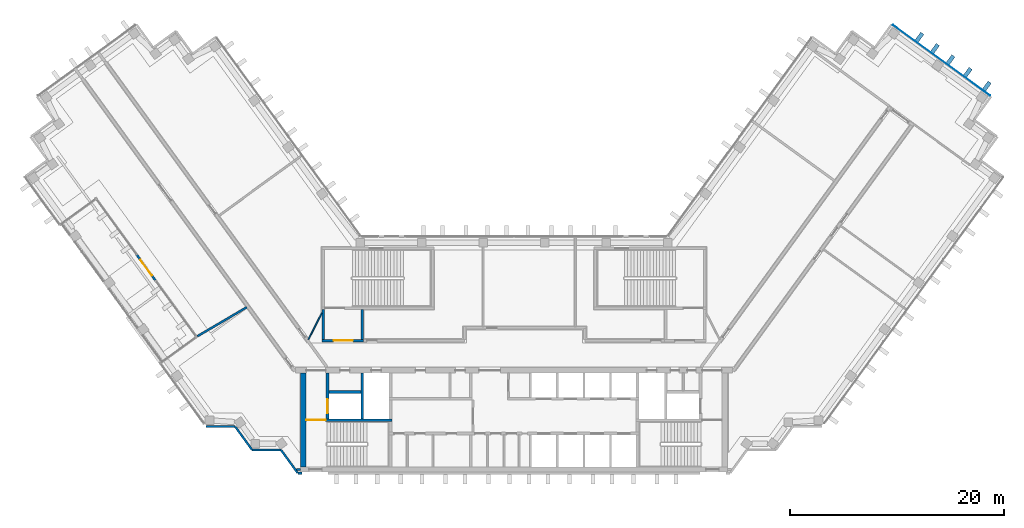
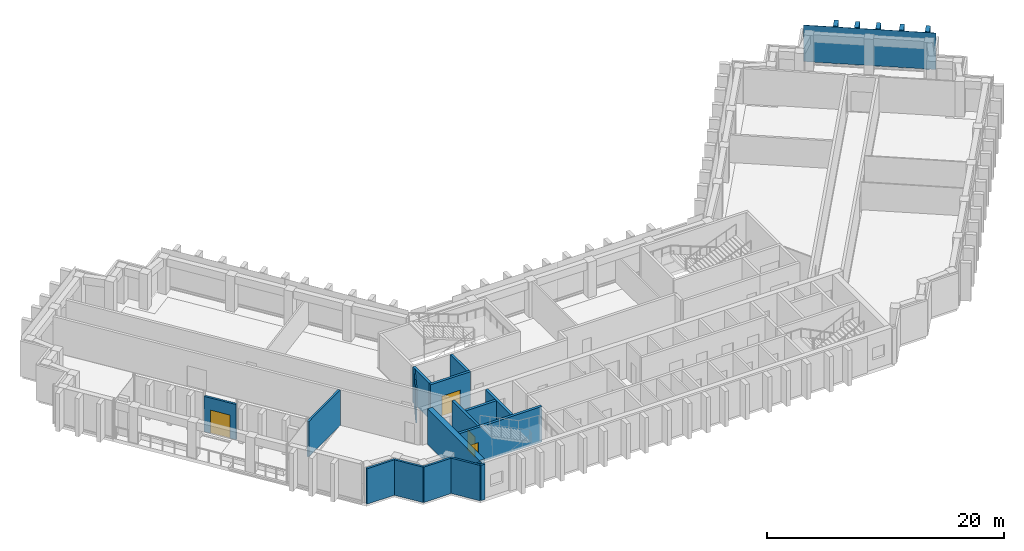
"""IFC4 building model written with IfcOpenShell, lengths in metres."""

from ifc_helpers import new_model, si_unit, direction, frame, frame_2d, origin, origin_2d, place, context, subcontext, project, spatial, rectangle, extrude, material, layer, layer_set, type_object, element, fill, aggregate, save


model = new_model("IFC4")

# Units and contexts
model_context = context("Model", 3, precision=1e-05, world=origin(), true_north=direction((0.0, 1.0)))
body_context = subcontext(model_context, "Body", "Model", "MODEL_VIEW")
ifc_project = project(units=[si_unit("LENGTHUNIT", "METRE"), si_unit("AREAUNIT", "SQUARE_METRE"), si_unit("VOLUMEUNIT", "CUBIC_METRE"), si_unit("PLANEANGLEUNIT", "RADIAN"), si_unit("MASSUNIT", "GRAM", prefix="KILO")], contexts=[model_context])

# Site, building, storey
site_placement = place(None, origin())
site = spatial("IfcSite", under=ifc_project, at=site_placement, CompositionType="ELEMENT")
building_placement = place(site_placement, origin())
building = spatial("IfcBuilding", under=site, at=building_placement, Name="Quipu Civic Tower", CompositionType="ELEMENT")
storey_1_placement = place(building_placement, frame((0.0, 0.0, 160.0)))
storey_1 = spatial("IfcBuildingStorey", under=building, at=storey_1_placement, Name="L37", CompositionType="ELEMENT", Elevation=160.0)

# Curtain wall
ifc_material_1 = material(Name="Insulated glass unit", Category="glass")
curtain_wall_type = type_object("IfcCurtainWallType", Name="Office curtain wall CW1", PredefinedType="NOTDEFINED", material=ifc_material_1)
curtain_wall_placement = place(storey_1_placement, origin())
curtain_wall = element("IfcCurtainWall", 1, at=curtain_wall_placement, inside=storey_1, type_object=curtain_wall_type, Name="Office curtain wall CW1 L36 run 31", PredefinedType="NOTDEFINED")

# Storey
storey_2_placement = place(building_placement, frame((0.0, 0.0, 156.0)))
storey_2 = spatial("IfcBuildingStorey", under=building, at=storey_2_placement, Name="L36", CompositionType="ELEMENT", Elevation=156.0)

# Plate
ifc_material_2 = material(Name="Insulated glass unit", Category="glass")
ifc_layer_1 = layer(ifc_material_2, 0.028076171875)
ifc_layer_set_1 = layer_set([ifc_layer_1], Name="Insulated glass unit")
plate_type_1 = type_object("IfcPlateType", Name="Glass panel CW1", PredefinedType="CURTAIN_PANEL", material=ifc_layer_set_1)
plate_placement = place(storey_2_placement, frame((40.04345703125, 27.58740234375, 0.240234375), z_axis=(0.0, 0.0, 1.0), x_axis=(-0.809015176832, 0.587787753918, 0.0)))
plate = element("IfcPlate", 2, at=plate_placement, inside=storey_2, type_object=plate_type_1, Name="CW1 panel 1.1", PredefinedType="CURTAIN_PANEL", context=body_context, shape_type="SweptSolid", body=[
    extrude(rectangle(XDim=11.239990234375, YDim=0.028076171875, at=origin_2d()), origin(), (0.0, 0.0, 1.0), 3.760009765625),
])

aggregate(curtain_wall, [plate])

# Plates
ifc_material_3 = material(Name="Precast concrete C40/50", Category="concrete")
plate_type_2 = type_object("IfcPlateType", Name="Precast fin F2", PredefinedType="SHEET", material=ifc_material_3)
for number, where, z_axis, x_axis, name in (
    (3, (44.298583984375, 25.17578125, 0.080078125), (0.0, 0.0, 1.0), (-0.809017072762, 0.587785144401, 0.0), "Precast fin F2 L36.31.1"),
    (4, (42.518798828125, 26.468994140625, 0.080078125), (0.0, 0.0, 1.0), (-0.809017072762, 0.587785144401, 0.0), "Precast fin F2 L36.31.2"),
    (5, (40.900634765625, 27.64453125, 0.080078125), (0.0, 0.0, 1.0), (-0.809017072762, 0.587785144401, 0.0), "Precast fin F2 L36.31.3"),
    (6, (39.444580078125, 28.70263671875, 0.080078125), (0.0, 0.0, 1.0), (-0.809017072762, 0.587785144401, 0.0), "Precast fin F2 L36.31.4"),
    (7, (37.98828125, 29.760498046875, 0.080078125), (0.0, 0.0, 1.0), (-0.809017072762, 0.587785144401, 0.0), "Precast fin F2 L36.31.5"),
):
    element("IfcPlate", number, at=place(storey_2_placement, frame(where, z_axis=z_axis, x_axis=x_axis)), inside=storey_2, type_object=plate_type_2, Name=name, PredefinedType="SHEET", context=body_context, shape_type="SweptSolid", body=[
        extrude(rectangle(XDim=0.3798828125, YDim=0.89990234375, at=origin_2d()), origin(), (0.0, 0.0, 1.0), 3.919921875),
    ])

# Wall
ifc_material_4 = material(Name="Fired clay blockwork", Category="masonry")
ifc_layer_2 = layer(ifc_material_4, 0.199951171875)
ifc_layer_set_2 = layer_set([ifc_layer_2], Name="Fired clay blockwork")
wall_type_1 = type_object("IfcWallType", Name="Blockwork wall 200", PredefinedType="SOLIDWALL", material=ifc_layer_set_2)
wall_1_placement = place(storey_2_placement, frame((-29.667724609375, 1.735107421875, 0.0), z_axis=(0.0, 0.0, 1.0), x_axis=(0.862172227296, 0.506615288439, 0.0)))
element("IfcWall", 8, at=wall_1_placement, inside=storey_2, type_object=wall_type_1, Name="Partition P09", PredefinedType="SOLIDWALL", context=body_context, shape_type="SweptSolid", body=[
    extrude(rectangle(XDim=5.377197265625, YDim=0.199951171875, at=frame_2d((2.6884765625, 0.0))), origin(), (0.0, 0.0, 1.0), 3.64990234375),
])

# Wall, opening, door
ifc_material_5 = material(Name="Concrete C70/85", Category="concrete")
ifc_layer_3 = layer(ifc_material_5, 0.25)
ifc_layer_set_3 = layer_set([ifc_layer_3], Name="Concrete C70/85")
wall_type_2 = type_object("IfcWallType", Name="Core wall 250", PredefinedType="SHEAR", material=ifc_layer_set_3)
wall_2_placement = place(storey_2_placement, frame((-11.449951171875, -6.125, 0.0), z_axis=(0.0, 0.0, 1.0), x_axis=(-1.0, 0.0, 0.0)))
wall_2 = element("IfcWall", 9, at=wall_2_placement, inside=storey_2, type_object=wall_type_2, Name="Core wall", PredefinedType="SHEAR", context=body_context, shape_type="SweptSolid", body=[
    extrude(rectangle(XDim=8.050048828125, YDim=0.25, at=frame_2d((4.02490234375, 0.0))), origin(), (0.0, 0.0, 1.0), 3.64990234375),
])
opening_1_placement = place(wall_2_placement, frame((6.199951171875, 0.0, 0.0)))
opening_1 = element("IfcOpeningElement", 10, at=opening_1_placement, cuts=wall_2, Name="Opening CD-08", PredefinedType="OPENING", context=body_context, shape_type="SweptSolid", body=[
    extrude(rectangle(XDim=1.800048828125, YDim=2.10009765625, at=frame_2d((0.89990234375, 1.050048828125))), frame((0.0, 0.135009765625, 0.0), z_axis=(0.0, -1.0, 0.0), x_axis=(1.0, 0.0, 0.0)), (0.0, 0.0, 1.0), 0.27001953125),
])
ifc_material_6 = material(Name="Fire rated steel door", Category="steel")
door_type_1 = type_object("IfcDoorType", Name="Fire door FD90 double 1800 x 2100", OperationType="NOTDEFINED", PredefinedType="DOOR", material=ifc_material_6)
door_1_placement = place(opening_1_placement, origin())
door_1 = element("IfcDoor", 11, at=door_1_placement, inside=storey_2, type_object=door_type_1, Name="Door", OperationType="DOUBLE_DOOR_SINGLE_SWING", OverallHeight=2.10009765625, OverallWidth=1.800048828125, PredefinedType="DOOR", context=body_context, shape_type="SweptSolid", body=[
    extrude(rectangle(XDim=1.800048828125, YDim=2.10009765625, at=frame_2d((0.89990234375, 1.050048828125))), frame((0.0, 0.02490234375, 0.0), z_axis=(0.0, -1.0, 0.0), x_axis=(1.0, 0.0, 0.0)), (0.0, 0.0, 1.0), 0.050048828125),
])
fill(opening_1, door_1)

wall_3_placement = place(storey_2_placement, frame((-17.47509765625, -6.0, 0.0), z_axis=(0.0, 0.0, 1.0), x_axis=(0.0, 1.0, 0.0)))
wall_3 = element("IfcWall", 12, at=wall_3_placement, inside=storey_2, type_object=wall_type_2, Name="Core wall", PredefinedType="SHEAR", context=body_context, shape_type="SweptSolid", body=[
    extrude(rectangle(XDim=4.300048828125, YDim=0.25, at=frame_2d((2.14990234375, 0.0))), origin(), (0.0, 0.0, 1.0), 3.64990234375),
])
opening_2_placement = place(wall_3_placement, frame((0.550048828125, 0.0, 0.0)))
opening_2 = element("IfcOpeningElement", 13, at=opening_2_placement, cuts=wall_3, Name="Opening LD-FF1", PredefinedType="OPENING", context=body_context, shape_type="SweptSolid", body=[
    extrude(rectangle(XDim=1.300048828125, YDim=2.10009765625, at=frame_2d((0.64990234375, 1.050048828125))), frame((0.0, 0.135009765625, 0.0), z_axis=(0.0, -1.0, 0.0), x_axis=(1.0, 0.0, 0.0)), (0.0, 0.0, 1.0), 0.27001953125),
])
ifc_material_7 = material(Name="Stainless steel", Category="steel")
door_type_2 = type_object("IfcDoorType", Name="Lift landing door 1300 x 2100", OperationType="DOUBLE_DOOR_SLIDING", PredefinedType="DOOR", material=ifc_material_7)
door_2_placement = place(opening_2_placement, origin())
door_2 = element("IfcDoor", 14, at=door_2_placement, inside=storey_2, type_object=door_type_2, Name="Landing door FF1", OperationType="DOUBLE_DOOR_SLIDING", OverallHeight=2.10009765625, OverallWidth=1.300048828125, PredefinedType="DOOR", context=body_context, shape_type="SweptSolid", body=[
    extrude(rectangle(XDim=1.300048828125, YDim=2.10009765625, at=frame_2d((0.64990234375, 1.050048828125))), frame((0.0, 0.02490234375, 0.0), z_axis=(0.0, -1.0, 0.0), x_axis=(1.0, 0.0, 0.0)), (0.0, 0.0, 1.0), 0.050048828125),
])
fill(opening_2, door_2)

# Walls
wall_4_placement = place(storey_2_placement, frame((-14.22509765625, -6.0, 0.0), z_axis=(0.0, 0.0, 1.0), x_axis=(0.0, 1.0, 0.0)))
element("IfcWall", 15, at=wall_4_placement, inside=storey_2, type_object=wall_type_2, Name="Core wall", PredefinedType="SHEAR", context=body_context, shape_type="SweptSolid", body=[
    extrude(rectangle(XDim=4.300048828125, YDim=0.25, at=frame_2d((2.14990234375, 0.0))), origin(), (0.0, 0.0, 1.0), 3.64990234375),
])
wall_5_placement = place(storey_2_placement, frame((-17.35009765625, -3.47509765625, 0.0), z_axis=(0.0, 0.0, 1.0), x_axis=(1.0, 0.0, 0.0)))
element("IfcWall", 16, at=wall_5_placement, inside=storey_2, type_object=wall_type_2, Name="Core wall", PredefinedType="SHEAR", context=body_context, shape_type="SweptSolid", body=[
    extrude(rectangle(XDim=3.0, YDim=0.25, at=frame_2d((1.5, 0.0))), origin(), (0.0, 0.0, 1.0), 3.64990234375),
])

# Wall, opening, door
wall_6_placement = place(storey_2_placement, frame((-18.0, 1.324951171875, 0.0), z_axis=(0.0, 0.0, 1.0), x_axis=(1.0, 0.0, 0.0)))
wall_6 = element("IfcWall", 17, at=wall_6_placement, inside=storey_2, type_object=wall_type_2, Name="Core wall", PredefinedType="SHEAR", context=body_context, shape_type="SweptSolid", body=[
    extrude(rectangle(XDim=3.89990234375, YDim=0.25, at=frame_2d((1.949951171875, 0.0))), origin(), (0.0, 0.0, 1.0), 3.64990234375),
])
opening_3_placement = place(wall_6_placement, frame((1.10009765625, 0.0, 0.0)))
opening_3 = element("IfcOpeningElement", 18, at=opening_3_placement, cuts=wall_6, Name="Opening CD-22", PredefinedType="OPENING", context=body_context, shape_type="SweptSolid", body=[
    extrude(rectangle(XDim=1.800048828125, YDim=2.10009765625, at=frame_2d((0.89990234375, 1.050048828125))), frame((0.0, 0.135009765625, 0.0), z_axis=(0.0, -1.0, 0.0), x_axis=(1.0, 0.0, 0.0)), (0.0, 0.0, 1.0), 0.27001953125),
])
door_3_placement = place(opening_3_placement, origin())
door_3 = element("IfcDoor", 19, at=door_3_placement, inside=storey_2, type_object=door_type_1, Name="Lobby door", OperationType="DOUBLE_DOOR_SINGLE_SWING", OverallHeight=2.10009765625, OverallWidth=1.800048828125, PredefinedType="DOOR", context=body_context, shape_type="SweptSolid", body=[
    extrude(rectangle(XDim=1.800048828125, YDim=2.10009765625, at=frame_2d((0.89990234375, 1.050048828125))), frame((0.0, 0.02490234375, 0.0), z_axis=(0.0, -1.0, 0.0), x_axis=(1.0, 0.0, 0.0)), (0.0, 0.0, 1.0), 0.050048828125),
])
fill(opening_3, door_3)

# Walls
for number, where, z_axis, x_axis, name in (
    (20, (-17.875, 1.449951171875, 0.0), (0.0, 0.0, 1.0), (0.0, 1.0, 0.0), "Core wall"),
    (21, (-14.22509765625, 1.449951171875, 0.0), (0.0, 0.0, 1.0), (0.0, 1.0, 0.0), "Core wall"),
):
    element("IfcWall", number, at=place(storey_2_placement, frame(where, z_axis=z_axis, x_axis=x_axis)), inside=storey_2, type_object=wall_type_2, Name=name, PredefinedType="SHEAR", context=body_context, shape_type="SweptSolid", body=[
        extrude(rectangle(XDim=2.800048828125, YDim=0.25, at=frame_2d((1.39990234375, 0.0))), origin(), (0.0, 0.0, 1.0), 3.64990234375),
    ])
ifc_material_8 = material(Name="Concrete C70/85", Category="concrete")
ifc_layer_4 = layer(ifc_material_8, 0.5)
ifc_layer_set_4 = layer_set([ifc_layer_4], Name="Concrete C70/85")
wall_type_3 = type_object("IfcWallType", Name="Core wall 500", PredefinedType="SHEAR", material=ifc_layer_set_4)
wall_7_placement = place(storey_2_placement, frame((-19.75, -10.5, 0.0), z_axis=(0.0, 0.0, 1.0), x_axis=(0.0, 1.0, 0.0)))
element("IfcWall", 22, at=wall_7_placement, inside=storey_2, type_object=wall_type_3, Name="Core wall", PredefinedType="SHEAR", context=body_context, shape_type="SweptSolid", body=[
    extrude(rectangle(XDim=8.800048828125, YDim=0.5, at=frame_2d((4.39990234375, 0.0))), origin(), (0.0, 0.0, 1.0), 3.64990234375),
])
ifc_material_9 = material(Name="Gypsum plasterboard on light gauge framing")
ifc_layer_5 = layer(ifc_material_9, 0.1201171875)
ifc_layer_set_5 = layer_set([ifc_layer_5], Name="Gypsum plasterboard on light gauge framing")
wall_type_4 = type_object("IfcWallType", Name="Partition 120 plasterboard", PredefinedType="PARTITIONING", material=ifc_layer_set_5)
wall_8_placement = place(storey_2_placement, frame((-19.260986328125, 1.449951171875, 0.0), z_axis=(0.0, 0.0, 1.0), x_axis=(0.453950796792, 0.891026752736, 0.0)))
element("IfcWall", 23, at=wall_8_placement, inside=storey_2, type_object=wall_type_4, Name="Partition P11", PredefinedType="PARTITIONING", context=body_context, shape_type="SweptSolid", body=[
    extrude(rectangle(XDim=2.77783203125, YDim=0.1201171875, at=frame_2d((1.388916015625, 0.0))), origin(), (0.0, 0.0, 1.0), 3.64990234375),
])
ifc_material_10 = material(Name="Precast concrete C40/50", Category="concrete")
wall_type_5 = type_object("IfcWallType", Name="Precast cladding wall", PredefinedType="SOLIDWALL", material=ifc_material_10)
wall_9_placement = place(storey_2_placement, frame((-28.829833984375, -6.71923828125, 0.0), z_axis=(0.0, 0.0, 1.0), x_axis=(1.0, 0.0, 0.0)))
element("IfcWall", 24, at=wall_9_placement, inside=storey_2, type_object=wall_type_5, Name="Precast cladding wall L36 8", PredefinedType="SOLIDWALL", context=body_context, shape_type="SweptSolid", body=[
    extrude(rectangle(XDim=2.699951171875, YDim=0.199951171875, at=frame_2d((1.35009765625, 0.0))), origin(), (0.0, 0.0, 1.0), 3.64990234375),
])
wall_10_placement = place(storey_2_placement, frame((-26.1201171875, -6.72412109375, 0.0), z_axis=(0.0, 0.0, 1.0), x_axis=(0.587720002413, -0.809064397168, 0.0)))
element("IfcWall", 25, at=wall_10_placement, inside=storey_2, type_object=wall_type_5, Name="Precast cladding wall L36 9", PredefinedType="SOLIDWALL", context=body_context, shape_type="SweptSolid", body=[
    extrude(rectangle(XDim=2.7001953125, YDim=0.199951171875, at=frame_2d((1.35009765625, 0.0))), origin(), (0.0, 0.0, 1.0), 3.64990234375),
])
wall_11_placement = place(storey_2_placement, frame((-24.542724609375, -8.90380859375, 0.0), z_axis=(0.0, 0.0, 1.0), x_axis=(1.0, 0.0, 0.0)))
element("IfcWall", 26, at=wall_11_placement, inside=storey_2, type_object=wall_type_5, Name="Precast cladding wall L36 17", PredefinedType="SOLIDWALL", context=body_context, shape_type="SweptSolid", body=[
    extrude(rectangle(XDim=2.699951171875, YDim=0.199951171875, at=frame_2d((1.35009765625, 0.0))), origin(), (0.0, 0.0, 1.0), 3.64990234375),
])
wall_12_placement = place(storey_2_placement, frame((-21.8330078125, -8.90869140625, 0.0), z_axis=(0.0, 0.0, 1.0), x_axis=(0.587766567315, -0.809030569476, 0.0)))
element("IfcWall", 27, at=wall_12_placement, inside=storey_2, type_object=wall_type_5, Name="Precast cladding wall L36 18", PredefinedType="SOLIDWALL", context=body_context, shape_type="SweptSolid", body=[
    extrude(rectangle(XDim=2.687744140625, YDim=0.199951171875, at=frame_2d((1.34375, 0.0))), origin(), (0.0, 0.0, 1.0), 3.64990234375),
])
wall_13_placement = place(storey_2_placement, frame((-20.255859375, -11.087890625, 0.0), z_axis=(0.0, 0.0, 1.0), x_axis=(1.0, 0.0, 0.0)))
element("IfcWall", 28, at=wall_13_placement, inside=storey_2, type_object=wall_type_5, Name="Precast cladding wall L36 19", PredefinedType="SOLIDWALL", context=body_context, shape_type="SweptSolid", body=[
    extrude(rectangle(XDim=0.40576171875, YDim=0.199951171875, at=frame_2d((0.202880859375, 0.0))), origin(), (0.0, 0.0, 1.0), 3.64990234375),
])
wall_14_placement = place(storey_2_placement, frame((-19.97998046875, -10.75, 0.0), z_axis=(0.0, 0.0, 1.0), x_axis=(-1.0, 0.0, 0.0)))
element("IfcWall", 29, at=wall_14_placement, inside=storey_2, type_object=wall_type_5, Name="Precast cladding return L36 W", PredefinedType="SOLIDWALL", context=body_context, shape_type="SweptSolid", body=[
    extrude(rectangle(XDim=0.41650390625, YDim=0.199951171875, at=frame_2d((0.208251953125, 0.0))), origin(), (0.0, 0.0, 1.0), 3.64990234375),
])

# Wall, opening, door
ifc_material_11 = material(Name="Precast concrete C40/50", Category="concrete")
wall_type_6 = type_object("IfcWallType", Name="Precast door surround", PredefinedType="SOLIDWALL", material=ifc_material_11)
wall_15_placement = place(storey_2_placement, frame((-33.5869140625, 6.9619140625, 0.0), z_axis=(0.0, 0.0, 1.0), x_axis=(-0.587774760134, 0.809024617271, 0.0)))
wall_15 = element("IfcWall", 30, at=wall_15_placement, inside=storey_2, type_object=wall_type_6, Name="Door surround ED-L36-1", PredefinedType="SOLIDWALL", context=body_context, shape_type="SweptSolid", body=[
    extrude(rectangle(XDim=2.962890625, YDim=0.199951171875, at=frame_2d((1.4814453125, 0.0))), origin(), (0.0, 0.0, 1.0), 3.64990234375),
])
opening_4_placement = place(wall_15_placement, frame((0.58154296875, 0.0, 0.0)))
opening_4 = element("IfcOpeningElement", 31, at=opening_4_placement, cuts=wall_15, Name="Opening ED-L36-1", PredefinedType="OPENING", context=body_context, shape_type="SweptSolid", body=[
    extrude(rectangle(XDim=1.800048828125, YDim=2.39990234375, at=frame_2d((0.89990234375, 1.199951171875))), frame((0.0, 0.10986328125, 0.0), z_axis=(0.0, -1.0, 0.0), x_axis=(1.0, 0.0, 0.0)), (0.0, 0.0, 1.0), 0.219970703125),
])
ifc_material_12 = material(Name="Aluminium framed glazed door", Category="aluminium")
door_type_3 = type_object("IfcDoorType", Name="Terrace door E3", OperationType="DOUBLE_DOOR_SINGLE_SWING", PredefinedType="DOOR", material=ifc_material_12)
door_4_placement = place(opening_4_placement, origin())
door_4 = element("IfcDoor", 32, at=door_4_placement, inside=storey_2, type_object=door_type_3, Name="E3 door ED-L36-1", OperationType="DOUBLE_DOOR_SINGLE_SWING", OverallHeight=2.39990234375, OverallWidth=1.800048828125, PredefinedType="DOOR", context=body_context, shape_type="SweptSolid", body=[
    extrude(rectangle(XDim=1.800048828125, YDim=2.39990234375, at=frame_2d((0.89990234375, 1.199951171875))), frame((0.0, 0.02490234375, 0.0), z_axis=(0.0, -1.0, 0.0), x_axis=(1.0, 0.0, 0.0)), (0.0, 0.0, 1.0), 0.050048828125),
])
fill(opening_4, door_4)

save(model, "model.ifc")
